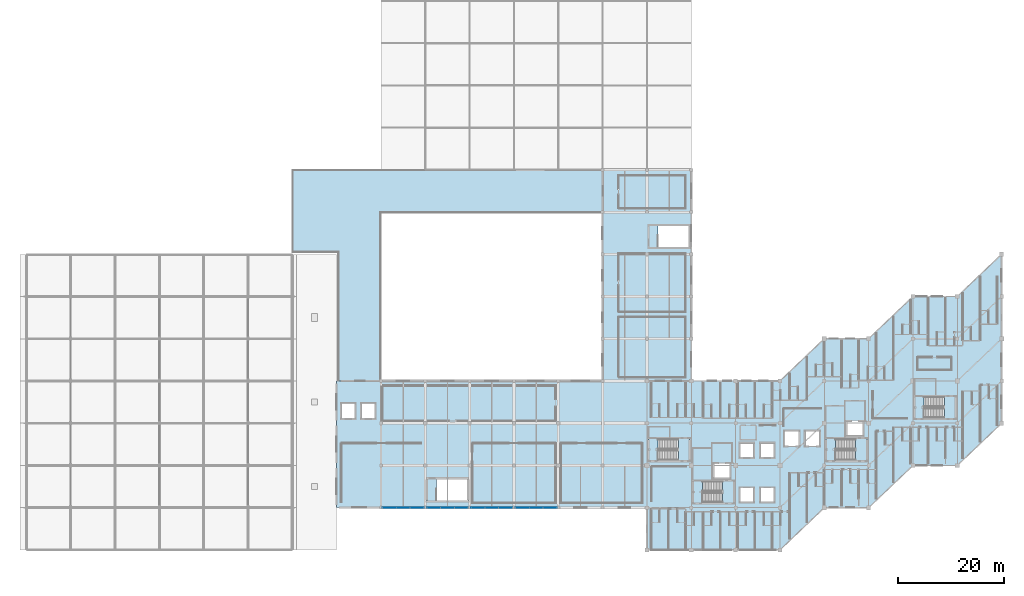
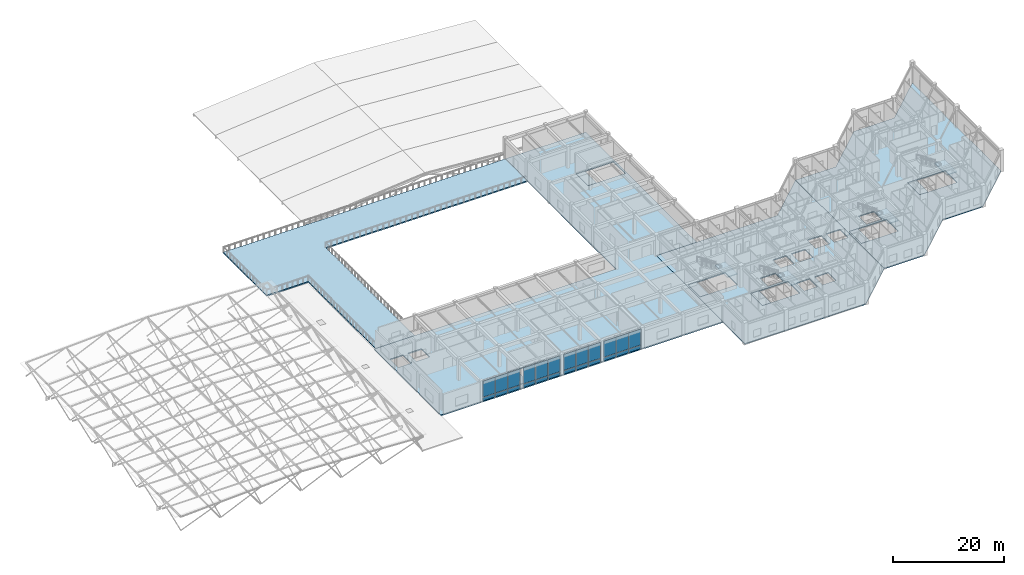
# One storey, part 18 of 37: 24 plates, 14 slabs, 8 elements without a shape of their own.
"""IFC4 building model written with IfcOpenShell, lengths in metres."""

from ifc_helpers import new_model, si_unit, direction, frame, origin, origin_2d, place, context, subcontext, project, spatial, polyline, rectangle, outline, extrude, material, layer, layer_set, type_object, element, aggregate, save


model = new_model("IFC4")

# Units and contexts
model_context = context("Model", 3, precision=1e-05, world=origin(), true_north=direction((0.0, 1.0)))
body_context = subcontext(model_context, "Body", "Model", "MODEL_VIEW")
ifc_project = project(units=[si_unit("LENGTHUNIT", "METRE"), si_unit("AREAUNIT", "SQUARE_METRE"), si_unit("VOLUMEUNIT", "CUBIC_METRE"), si_unit("PLANEANGLEUNIT", "RADIAN"), si_unit("MASSUNIT", "GRAM", prefix="KILO")], contexts=[model_context])

# Site, building, storey
site_placement = place(None, origin())
site = spatial("IfcSite", under=ifc_project, at=site_placement, CompositionType="ELEMENT")
building_placement = place(site_placement, origin())
building = spatial("IfcBuilding", under=site, at=building_placement, Name="Naruveol Harbour Congress Hotel", CompositionType="ELEMENT")
storey_placement = place(building_placement, frame((0.0, 0.0, 16.199951171875)))
storey = spatial("IfcBuildingStorey", under=building, at=storey_placement, Name="L03", CompositionType="ELEMENT", Elevation=16.199951171875)

# Curtain wall, plates
ifc_material_1 = material(Name="Low-E Curtain Wall System", Category="glass")
ifc_layer_1 = layer(ifc_material_1, 0.179931640625)
ifc_layer_set_1 = layer_set([ifc_layer_1], Name="Low-E Curtain Wall System")
curtain_wall_type = type_object("IfcCurtainWallType", Name="UNITISED CURTAIN WALL CW-V4S-45 7800X4500", PredefinedType="USERDEFINED", material=ifc_layer_set_1)
curtain_wall_1_placement = place(storey_placement, origin())
curtain_wall_1 = element("IfcCurtainWall", 1, at=curtain_wall_1_placement, inside=storey, type_object=curtain_wall_type, Name="Unitised curtain wall CW-V4S-45 L03", ObjectType="UNITISED GLAZING", PredefinedType="USERDEFINED")
ifc_material_2 = material(Name="Anodised Aluminium Spandrel", Category="aluminium")
ifc_layer_2 = layer(ifc_material_2, 0.054931640625)
ifc_layer_set_2 = layer_set([ifc_layer_2], Name="Anodised Aluminium Spandrel")
plate_type_1 = type_object("IfcPlateType", Name="INSULATED CERAMIC SPANDREL PANEL 55", PredefinedType="CURTAIN_PANEL", material=ifc_layer_set_2)
plate_1_placement = place(storey_placement, frame((99.199951171875, 7.989990234375, 0.0400390625), z_axis=(0.0, 0.0, 1.0), x_axis=(-1.0, 0.0, 0.0)))
plate_1 = element("IfcPlate", 2, at=plate_1_placement, type_object=plate_type_1, Name="Curtain wall spandrel panel CW-L03-0122-PS0", PredefinedType="CURTAIN_PANEL", context=body_context, shape_type="SweptSolid", body=[
    extrude(rectangle(XDim=2.52001953125, YDim=0.054931640625, at=origin_2d()), origin(), (0.0, 0.0, 1.0), 0.77001953125),
])
plate_2_placement = place(storey_placement, frame((96.60009765625, 7.989990234375, 0.0400390625), z_axis=(0.0, 0.0, 1.0), x_axis=(-1.0, 0.0, 0.0)))
plate_2 = element("IfcPlate", 3, at=plate_2_placement, type_object=plate_type_1, Name="Curtain wall spandrel panel CW-L03-0122-PS1", PredefinedType="CURTAIN_PANEL", context=body_context, shape_type="SweptSolid", body=[
    extrude(rectangle(XDim=2.52001953125, YDim=0.054931640625, at=origin_2d()), origin(), (0.0, 0.0, 1.0), 0.77001953125),
])
plate_3_placement = place(storey_placement, frame((94.0, 7.989990234375, 0.0400390625), z_axis=(0.0, 0.0, 1.0), x_axis=(-1.0, 0.0, 0.0)))
plate_3 = element("IfcPlate", 4, at=plate_3_placement, type_object=plate_type_1, Name="Curtain wall spandrel panel CW-L03-0122-PS2", PredefinedType="CURTAIN_PANEL", context=body_context, shape_type="SweptSolid", body=[
    extrude(rectangle(XDim=2.52001953125, YDim=0.054931640625, at=origin_2d()), origin(), (0.0, 0.0, 1.0), 0.77001953125),
])

curtain_wall_2_placement = place(storey_placement, origin())
curtain_wall_2 = element("IfcCurtainWall", 5, at=curtain_wall_2_placement, inside=storey, type_object=curtain_wall_type, Name="Unitised curtain wall CW-V4S-45 L03", ObjectType="UNITISED GLAZING", PredefinedType="USERDEFINED")
plate_4_placement = place(storey_placement, frame((90.800048828125, 7.989990234375, 0.0400390625), z_axis=(0.0, 0.0, 1.0), x_axis=(-1.0, 0.0, 0.0)))
plate_4 = element("IfcPlate", 6, at=plate_4_placement, type_object=plate_type_1, Name="Curtain wall spandrel panel CW-L03-0123-PS0", PredefinedType="CURTAIN_PANEL", context=body_context, shape_type="SweptSolid", body=[
    extrude(rectangle(XDim=2.52001953125, YDim=0.054931640625, at=origin_2d()), origin(), (0.0, 0.0, 1.0), 0.77001953125),
])
plate_5_placement = place(storey_placement, frame((88.199951171875, 7.989990234375, 0.0400390625), z_axis=(0.0, 0.0, 1.0), x_axis=(-1.0, 0.0, 0.0)))
plate_5 = element("IfcPlate", 7, at=plate_5_placement, type_object=plate_type_1, Name="Curtain wall spandrel panel CW-L03-0123-PS1", PredefinedType="CURTAIN_PANEL", context=body_context, shape_type="SweptSolid", body=[
    extrude(rectangle(XDim=2.52001953125, YDim=0.054931640625, at=origin_2d()), origin(), (0.0, 0.0, 1.0), 0.77001953125),
])
plate_6_placement = place(storey_placement, frame((85.60009765625, 7.989990234375, 0.0400390625), z_axis=(0.0, 0.0, 1.0), x_axis=(-1.0, 0.0, 0.0)))
plate_6 = element("IfcPlate", 8, at=plate_6_placement, type_object=plate_type_1, Name="Curtain wall spandrel panel CW-L03-0123-PS2", PredefinedType="CURTAIN_PANEL", context=body_context, shape_type="SweptSolid", body=[
    extrude(rectangle(XDim=2.52001953125, YDim=0.054931640625, at=origin_2d()), origin(), (0.0, 0.0, 1.0), 0.77001953125),
])

curtain_wall_3_placement = place(storey_placement, origin())
curtain_wall_3 = element("IfcCurtainWall", 9, at=curtain_wall_3_placement, inside=storey, type_object=curtain_wall_type, Name="Unitised curtain wall CW-V4S-45 L03", ObjectType="UNITISED GLAZING", PredefinedType="USERDEFINED")
plate_7_placement = place(storey_placement, frame((82.39990234375, 7.989990234375, 0.0400390625), z_axis=(0.0, 0.0, 1.0), x_axis=(-1.0, 0.0, 0.0)))
plate_7 = element("IfcPlate", 10, at=plate_7_placement, type_object=plate_type_1, Name="Curtain wall spandrel panel CW-L03-0124-PS0", PredefinedType="CURTAIN_PANEL", context=body_context, shape_type="SweptSolid", body=[
    extrude(rectangle(XDim=2.52001953125, YDim=0.054931640625, at=origin_2d()), origin(), (0.0, 0.0, 1.0), 0.77001953125),
])
plate_8_placement = place(storey_placement, frame((79.800048828125, 7.989990234375, 0.0400390625), z_axis=(0.0, 0.0, 1.0), x_axis=(-1.0, 0.0, 0.0)))
plate_8 = element("IfcPlate", 11, at=plate_8_placement, type_object=plate_type_1, Name="Curtain wall spandrel panel CW-L03-0124-PS1", PredefinedType="CURTAIN_PANEL", context=body_context, shape_type="SweptSolid", body=[
    extrude(rectangle(XDim=2.52001953125, YDim=0.054931640625, at=origin_2d()), origin(), (0.0, 0.0, 1.0), 0.77001953125),
])
plate_9_placement = place(storey_placement, frame((77.199951171875, 7.989990234375, 0.0400390625), z_axis=(0.0, 0.0, 1.0), x_axis=(-1.0, 0.0, 0.0)))
plate_9 = element("IfcPlate", 12, at=plate_9_placement, type_object=plate_type_1, Name="Curtain wall spandrel panel CW-L03-0124-PS2", PredefinedType="CURTAIN_PANEL", context=body_context, shape_type="SweptSolid", body=[
    extrude(rectangle(XDim=2.52001953125, YDim=0.054931640625, at=origin_2d()), origin(), (0.0, 0.0, 1.0), 0.77001953125),
])

curtain_wall_4_placement = place(storey_placement, origin())
curtain_wall_4 = element("IfcCurtainWall", 13, at=curtain_wall_4_placement, inside=storey, type_object=curtain_wall_type, Name="Unitised curtain wall CW-V4S-45 L03", ObjectType="UNITISED GLAZING", PredefinedType="USERDEFINED")
plate_10_placement = place(storey_placement, frame((74.0, 7.989990234375, 0.0400390625), z_axis=(0.0, 0.0, 1.0), x_axis=(-1.0, 0.0, 0.0)))
plate_10 = element("IfcPlate", 14, at=plate_10_placement, type_object=plate_type_1, Name="Curtain wall spandrel panel CW-L03-0125-PS0", PredefinedType="CURTAIN_PANEL", context=body_context, shape_type="SweptSolid", body=[
    extrude(rectangle(XDim=2.52001953125, YDim=0.054931640625, at=origin_2d()), origin(), (0.0, 0.0, 1.0), 0.77001953125),
])
plate_11_placement = place(storey_placement, frame((71.39990234375, 7.989990234375, 0.0400390625), z_axis=(0.0, 0.0, 1.0), x_axis=(-1.0, 0.0, 0.0)))
plate_11 = element("IfcPlate", 15, at=plate_11_placement, type_object=plate_type_1, Name="Curtain wall spandrel panel CW-L03-0125-PS1", PredefinedType="CURTAIN_PANEL", context=body_context, shape_type="SweptSolid", body=[
    extrude(rectangle(XDim=2.52001953125, YDim=0.054931640625, at=origin_2d()), origin(), (0.0, 0.0, 1.0), 0.77001953125),
])
plate_12_placement = place(storey_placement, frame((68.800048828125, 7.989990234375, 0.0400390625), z_axis=(0.0, 0.0, 1.0), x_axis=(-1.0, 0.0, 0.0)))
plate_12 = element("IfcPlate", 16, at=plate_12_placement, type_object=plate_type_1, Name="Curtain wall spandrel panel CW-L03-0125-PS2", PredefinedType="CURTAIN_PANEL", context=body_context, shape_type="SweptSolid", body=[
    extrude(rectangle(XDim=2.52001953125, YDim=0.054931640625, at=origin_2d()), origin(), (0.0, 0.0, 1.0), 0.77001953125),
])

# Plate
ifc_material_3 = material(Name="Low-E Insulated Glass", Category="glass")
ifc_layer_3 = layer(ifc_material_3, 0.0419921875)
ifc_layer_set_3 = layer_set([ifc_layer_3], Name="Low-E Insulated Glass")
plate_type_2 = type_object("IfcPlateType", Name="LOW-E TRIPLE GLAZED CURTAIN PANEL 42", PredefinedType="CURTAIN_PANEL", material=ifc_layer_set_3)
plate_13_placement = place(storey_placement, frame((99.199951171875, 7.989990234375, 0.89013671875), z_axis=(0.0, 0.0, 1.0), x_axis=(-1.0, 0.0, 0.0)))
plate_13 = element("IfcPlate", 17, at=plate_13_placement, type_object=plate_type_2, Name="Curtain wall vision panel CW-L03-0122-PG0", PredefinedType="CURTAIN_PANEL", context=body_context, shape_type="SweptSolid", body=[
    extrude(rectangle(XDim=2.52001953125, YDim=0.0419921875, at=origin_2d()), origin(), (0.0, 0.0, 1.0), 3.489990234375),
])

plate_14_placement = place(storey_placement, frame((96.60009765625, 7.989990234375, 0.89013671875), z_axis=(0.0, 0.0, 1.0), x_axis=(-1.0, 0.0, 0.0)))
plate_14 = element("IfcPlate", 18, at=plate_14_placement, type_object=plate_type_2, Name="Curtain wall vision panel CW-L03-0122-PG1", PredefinedType="CURTAIN_PANEL", context=body_context, shape_type="SweptSolid", body=[
    extrude(rectangle(XDim=2.52001953125, YDim=0.0419921875, at=origin_2d()), origin(), (0.0, 0.0, 1.0), 3.489990234375),
])

plate_15_placement = place(storey_placement, frame((94.0, 7.989990234375, 0.89013671875), z_axis=(0.0, 0.0, 1.0), x_axis=(-1.0, 0.0, 0.0)))
plate_15 = element("IfcPlate", 19, at=plate_15_placement, type_object=plate_type_2, Name="Curtain wall vision panel CW-L03-0122-PG2", PredefinedType="CURTAIN_PANEL", context=body_context, shape_type="SweptSolid", body=[
    extrude(rectangle(XDim=2.52001953125, YDim=0.0419921875, at=origin_2d()), origin(), (0.0, 0.0, 1.0), 3.489990234375),
])

aggregate(curtain_wall_1, [plate_1, plate_13, plate_2, plate_14, plate_3, plate_15])

plate_16_placement = place(storey_placement, frame((90.800048828125, 7.989990234375, 0.89013671875), z_axis=(0.0, 0.0, 1.0), x_axis=(-1.0, 0.0, 0.0)))
plate_16 = element("IfcPlate", 20, at=plate_16_placement, type_object=plate_type_2, Name="Curtain wall vision panel CW-L03-0123-PG0", PredefinedType="CURTAIN_PANEL", context=body_context, shape_type="SweptSolid", body=[
    extrude(rectangle(XDim=2.52001953125, YDim=0.0419921875, at=origin_2d()), origin(), (0.0, 0.0, 1.0), 3.489990234375),
])

plate_17_placement = place(storey_placement, frame((88.199951171875, 7.989990234375, 0.89013671875), z_axis=(0.0, 0.0, 1.0), x_axis=(-1.0, 0.0, 0.0)))
plate_17 = element("IfcPlate", 21, at=plate_17_placement, type_object=plate_type_2, Name="Curtain wall vision panel CW-L03-0123-PG1", PredefinedType="CURTAIN_PANEL", context=body_context, shape_type="SweptSolid", body=[
    extrude(rectangle(XDim=2.52001953125, YDim=0.0419921875, at=origin_2d()), origin(), (0.0, 0.0, 1.0), 3.489990234375),
])

plate_18_placement = place(storey_placement, frame((85.60009765625, 7.989990234375, 0.89013671875), z_axis=(0.0, 0.0, 1.0), x_axis=(-1.0, 0.0, 0.0)))
plate_18 = element("IfcPlate", 22, at=plate_18_placement, type_object=plate_type_2, Name="Curtain wall vision panel CW-L03-0123-PG2", PredefinedType="CURTAIN_PANEL", context=body_context, shape_type="SweptSolid", body=[
    extrude(rectangle(XDim=2.52001953125, YDim=0.0419921875, at=origin_2d()), origin(), (0.0, 0.0, 1.0), 3.489990234375),
])

aggregate(curtain_wall_2, [plate_4, plate_16, plate_5, plate_17, plate_6, plate_18])

plate_19_placement = place(storey_placement, frame((82.39990234375, 7.989990234375, 0.89013671875), z_axis=(0.0, 0.0, 1.0), x_axis=(-1.0, 0.0, 0.0)))
plate_19 = element("IfcPlate", 23, at=plate_19_placement, type_object=plate_type_2, Name="Curtain wall vision panel CW-L03-0124-PG0", PredefinedType="CURTAIN_PANEL", context=body_context, shape_type="SweptSolid", body=[
    extrude(rectangle(XDim=2.52001953125, YDim=0.0419921875, at=origin_2d()), origin(), (0.0, 0.0, 1.0), 3.489990234375),
])

plate_20_placement = place(storey_placement, frame((79.800048828125, 7.989990234375, 0.89013671875), z_axis=(0.0, 0.0, 1.0), x_axis=(-1.0, 0.0, 0.0)))
plate_20 = element("IfcPlate", 24, at=plate_20_placement, type_object=plate_type_2, Name="Curtain wall vision panel CW-L03-0124-PG1", PredefinedType="CURTAIN_PANEL", context=body_context, shape_type="SweptSolid", body=[
    extrude(rectangle(XDim=2.52001953125, YDim=0.0419921875, at=origin_2d()), origin(), (0.0, 0.0, 1.0), 3.489990234375),
])

plate_21_placement = place(storey_placement, frame((77.199951171875, 7.989990234375, 0.89013671875), z_axis=(0.0, 0.0, 1.0), x_axis=(-1.0, 0.0, 0.0)))
plate_21 = element("IfcPlate", 25, at=plate_21_placement, type_object=plate_type_2, Name="Curtain wall vision panel CW-L03-0124-PG2", PredefinedType="CURTAIN_PANEL", context=body_context, shape_type="SweptSolid", body=[
    extrude(rectangle(XDim=2.52001953125, YDim=0.0419921875, at=origin_2d()), origin(), (0.0, 0.0, 1.0), 3.489990234375),
])

aggregate(curtain_wall_3, [plate_7, plate_19, plate_8, plate_20, plate_9, plate_21])

plate_22_placement = place(storey_placement, frame((74.0, 7.989990234375, 0.89013671875), z_axis=(0.0, 0.0, 1.0), x_axis=(-1.0, 0.0, 0.0)))
plate_22 = element("IfcPlate", 26, at=plate_22_placement, type_object=plate_type_2, Name="Curtain wall vision panel CW-L03-0125-PG0", PredefinedType="CURTAIN_PANEL", context=body_context, shape_type="SweptSolid", body=[
    extrude(rectangle(XDim=2.52001953125, YDim=0.0419921875, at=origin_2d()), origin(), (0.0, 0.0, 1.0), 3.489990234375),
])

plate_23_placement = place(storey_placement, frame((71.39990234375, 7.989990234375, 0.89013671875), z_axis=(0.0, 0.0, 1.0), x_axis=(-1.0, 0.0, 0.0)))
plate_23 = element("IfcPlate", 27, at=plate_23_placement, type_object=plate_type_2, Name="Curtain wall vision panel CW-L03-0125-PG1", PredefinedType="CURTAIN_PANEL", context=body_context, shape_type="SweptSolid", body=[
    extrude(rectangle(XDim=2.52001953125, YDim=0.0419921875, at=origin_2d()), origin(), (0.0, 0.0, 1.0), 3.489990234375),
])

plate_24_placement = place(storey_placement, frame((68.800048828125, 7.989990234375, 0.89013671875), z_axis=(0.0, 0.0, 1.0), x_axis=(-1.0, 0.0, 0.0)))
plate_24 = element("IfcPlate", 28, at=plate_24_placement, type_object=plate_type_2, Name="Curtain wall vision panel CW-L03-0125-PG2", PredefinedType="CURTAIN_PANEL", context=body_context, shape_type="SweptSolid", body=[
    extrude(rectangle(XDim=2.52001953125, YDim=0.0419921875, at=origin_2d()), origin(), (0.0, 0.0, 1.0), 3.489990234375),
])

aggregate(curtain_wall_4, [plate_10, plate_22, plate_11, plate_23, plate_12, plate_24])

# Slabs
ifc_material_4 = material(Name="Concrete C40/50", Category="concrete")
ifc_layer_4 = layer(ifc_material_4, 0.219970703125)
ifc_layer_set_4 = layer_set([ifc_layer_4], Name="Concrete C40/50")
slab_type_1 = type_object("IfcSlabType", Name="RC HOTEL LOWER FLOOR SLAB 220", PredefinedType="FLOOR", material=ifc_layer_set_4)
slab_1_placement = place(storey_placement, frame((0.0, 0.0, -0.219970703125)))
element("IfcSlab", 29, at=slab_1_placement, inside=storey, type_object=slab_type_1, Name="Level L03 Waterfront hotel west guest slab", PredefinedType="FLOOR", context=body_context, shape_type="SweptSolid", body=[
    extrude(outline(polyline([(117.60009765625, 0.0), (126.0, 0.0), (134.39990234375, 0.0), (142.800048828125, 0.0), (151.199951171875, 8.0), (151.199951171875, 40.0), (142.800048828125, 32.0), (134.39990234375, 32.0), (126.0, 32.0), (117.60009765625, 32.0), (117.60009765625, 0.0)]), holes=[polyline([(126.300048828125, 8.800048828125), (134.10009765625, 8.800048828125), (134.10009765625, 13.159912109375), (126.300048828125, 13.159912109375), (126.300048828125, 8.800048828125)]), polyline([(117.89990234375, 16.800048828125), (125.699951171875, 16.800048828125), (125.699951171875, 21.159912109375), (117.89990234375, 21.159912109375), (117.89990234375, 16.800048828125)]), polyline([(135.10009765625, 17.39990234375), (137.89990234375, 17.39990234375), (137.89990234375, 20.300048828125), (135.10009765625, 20.300048828125), (135.10009765625, 17.39990234375)]), polyline([(139.0, 17.39990234375), (141.800048828125, 17.39990234375), (141.800048828125, 20.300048828125), (139.0, 20.300048828125), (139.0, 17.39990234375)]), polyline([(135.10009765625, 9.0), (137.89990234375, 9.0), (137.89990234375, 11.89990234375), (135.10009765625, 11.89990234375), (135.10009765625, 9.0)]), polyline([(139.0, 9.0), (141.800048828125, 9.0), (141.800048828125, 11.89990234375), (139.0, 11.89990234375), (139.0, 9.0)]), polyline([(130.199951171875, 13.550048828125), (133.39990234375, 13.550048828125), (133.39990234375, 16.449951171875), (130.199951171875, 16.449951171875), (130.199951171875, 13.550048828125)]), polyline([(143.60009765625, 19.60009765625), (146.5, 19.60009765625), (146.5, 22.60009765625), (143.60009765625, 22.60009765625), (143.60009765625, 19.60009765625)]), polyline([(147.5, 19.60009765625), (150.39990234375, 19.60009765625), (150.39990234375, 22.60009765625), (147.5, 22.60009765625), (147.5, 19.60009765625)])]), origin(), (0.0, 0.0, 1.0), 0.219970703125),
])
slab_2_placement = place(storey_placement, frame((0.0, 0.0, -0.219970703125)))
element("IfcSlab", 30, at=slab_2_placement, inside=storey, type_object=slab_type_1, Name="Level L03 Waterfront hotel east guest slab", PredefinedType="FLOOR", context=body_context, shape_type="SweptSolid", body=[
    extrude(outline(polyline([(151.199951171875, 8.0), (159.60009765625, 8.0), (168.0, 16.0), (176.39990234375, 16.0), (184.800048828125, 24.0), (184.800048828125, 56.0), (176.39990234375, 48.0), (168.0, 48.0), (159.60009765625, 40.0), (151.199951171875, 40.0), (151.199951171875, 8.0)]), holes=[polyline([(151.5, 16.800048828125), (159.300048828125, 16.800048828125), (159.300048828125, 21.159912109375), (151.5, 21.159912109375), (151.5, 16.800048828125)]), polyline([(168.300048828125, 24.800048828125), (176.10009765625, 24.800048828125), (176.10009765625, 29.159912109375), (168.300048828125, 29.159912109375), (168.300048828125, 24.800048828125)]), polyline([(155.39990234375, 21.550048828125), (158.60009765625, 21.550048828125), (158.60009765625, 24.449951171875), (155.39990234375, 24.449951171875), (155.39990234375, 21.550048828125)])]), origin(), (0.0, 0.0, 1.0), 0.219970703125),
])
ifc_material_5 = material(Name="Concrete C40/50", Category="concrete")
ifc_layer_5 = layer(ifc_material_5, 0.25)
ifc_layer_set_5 = layer_set([ifc_layer_5], Name="Concrete C40/50")
slab_type_2 = type_object("IfcSlabType", Name="RC MEETING WING FLOOR SLAB 250", PredefinedType="FLOOR", material=ifc_layer_set_5)
slab_3_placement = place(storey_placement, frame((0.0, 0.0, -0.25)))
element("IfcSlab", 31, at=slab_3_placement, inside=storey, type_object=slab_type_2, Name="Level L03 Breakout salons & harbour lounge slab", PredefinedType="FLOOR", context=body_context, shape_type="SweptSolid", body=[
    extrude(outline(polyline([(58.800048828125, 8.0), (117.60009765625, 8.0), (117.60009765625, 32.0), (126.0, 32.0), (126.0, 72.0), (109.199951171875, 72.0), (109.199951171875, 32.0), (58.800048828125, 32.0), (58.800048828125, 8.0)]), holes=[polyline([(117.89990234375, 57.199951171875), (125.699951171875, 57.199951171875), (125.699951171875, 61.56005859375), (117.89990234375, 61.56005859375), (117.89990234375, 57.199951171875)]), polyline([(75.89990234375, 9.199951171875), (83.699951171875, 9.199951171875), (83.699951171875, 13.56005859375), (75.89990234375, 13.56005859375), (75.89990234375, 9.199951171875)]), polyline([(59.60009765625, 24.800048828125), (62.39990234375, 24.800048828125), (62.39990234375, 27.800048828125), (59.60009765625, 27.800048828125), (59.60009765625, 24.800048828125)]), polyline([(63.39990234375, 24.800048828125), (66.199951171875, 24.800048828125), (66.199951171875, 27.800048828125), (63.39990234375, 27.800048828125), (63.39990234375, 24.800048828125)])]), origin(), (0.0, 0.0, 1.0), 0.25),
])
ifc_material_6 = material(Name="Concrete C40/50", Category="concrete")
ifc_layer_6 = layer(ifc_material_6, 0.260009765625)
ifc_layer_set_6 = layer_set([ifc_layer_6], Name="Concrete C40/50")
slab_type_3 = type_object("IfcSlabType", Name="RC PLANTED ROOF GARDEN SLAB 260", PredefinedType="ROOF", material=ifc_layer_set_6)
slab_4_placement = place(storey_placement, frame((0.0, 0.0, -0.260009765625)))
element("IfcSlab", 32, at=slab_4_placement, inside=storey, type_object=slab_type_3, Name="Level L03 Public Harbour Roof Terrace & Planted Garden", PredefinedType="ROOF", context=body_context, shape_type="SweptSolid", body=[
    extrude(outline(polyline([(59.10009765625, 32.0), (67.199951171875, 32.0), (67.199951171875, 64.0), (109.199951171875, 64.0), (109.199951171875, 72.0), (50.39990234375, 72.0), (50.39990234375, 56.35009765625), (59.10009765625, 56.35009765625), (59.10009765625, 32.0)])), origin(), (0.0, 0.0, 1.0), 0.260009765625),
])
ifc_material_7 = material(Name="Concrete C40/50", Category="concrete")
ifc_layer_7 = layer(ifc_material_7, 0.179931640625)
ifc_layer_set_7 = layer_set([ifc_layer_7], Name="Concrete C40/50")
slab_type_4 = type_object("IfcSlabType", Name="RC STAIR HALF LANDING SLAB 180", PredefinedType="LANDING", material=ifc_layer_set_7)
slab_5_placement = place(storey_placement, frame((0.0, 0.0, -0.179931640625)))
element("IfcSlab", 33, at=slab_5_placement, inside=storey, type_object=slab_type_4, Name="Stair ST1 L03 floor landing", PredefinedType="LANDING", context=body_context, shape_type="SweptSolid", body=[
    extrude(outline(polyline([(126.300048828125, 8.800048828125), (128.10009765625, 8.800048828125), (128.10009765625, 13.159912109375), (126.300048828125, 13.159912109375), (126.300048828125, 8.800048828125)])), origin(), (0.0, 0.0, 1.0), 0.179931640625),
])

# Stair, slab
ifc_material_8 = material(Name="Concrete C40/50", Category="concrete")
stair_type = type_object("IfcStairType", Name="RC DOG LEG ESCAPE STAIR 1800W H4800", PredefinedType="HALF_TURN_STAIR", material=ifc_material_8)
stair_1_placement = place(storey_placement, origin())
stair_1 = element("IfcStair", 34, at=stair_1_placement, inside=storey, type_object=stair_type, Name="Special Escape Stair ST1 L03 to L04", PredefinedType="HALF_TURN_STAIR")
slab_6_placement = place(storey_placement, frame((0.0, 0.0, 2.219970703125)))
slab_6 = element("IfcSlab", 35, at=slab_6_placement, type_object=slab_type_4, Name="ST1 L03 half landing", PredefinedType="LANDING", context=body_context, shape_type="SweptSolid", body=[
    extrude(outline(polyline([(131.93505859375, 8.800048828125), (134.10009765625, 8.800048828125), (134.10009765625, 13.159912109375), (131.93505859375, 13.159912109375), (131.93505859375, 8.800048828125)])), origin(), (0.0, 0.0, 1.0), 0.18017578125),
])
aggregate(stair_1, [slab_6])

# Slab
slab_7_placement = place(storey_placement, frame((0.0, 0.0, -0.179931640625)))
element("IfcSlab", 36, at=slab_7_placement, inside=storey, type_object=slab_type_4, Name="Stair ST2 L03 floor landing", PredefinedType="LANDING", context=body_context, shape_type="SweptSolid", body=[
    extrude(outline(polyline([(151.5, 16.800048828125), (153.300048828125, 16.800048828125), (153.300048828125, 21.159912109375), (151.5, 21.159912109375), (151.5, 16.800048828125)])), origin(), (0.0, 0.0, 1.0), 0.179931640625),
])

# Stair, slab
stair_2_placement = place(storey_placement, origin())
stair_2 = element("IfcStair", 37, at=stair_2_placement, inside=storey, type_object=stair_type, Name="Special Escape Stair ST2 L03 to L04", PredefinedType="HALF_TURN_STAIR")
slab_8_placement = place(storey_placement, frame((0.0, 0.0, 2.219970703125)))
slab_8 = element("IfcSlab", 38, at=slab_8_placement, type_object=slab_type_4, Name="ST2 L03 half landing", PredefinedType="LANDING", context=body_context, shape_type="SweptSolid", body=[
    extrude(outline(polyline([(157.135009765625, 16.800048828125), (159.300048828125, 16.800048828125), (159.300048828125, 21.159912109375), (157.135009765625, 21.159912109375), (157.135009765625, 16.800048828125)])), origin(), (0.0, 0.0, 1.0), 0.18017578125),
])
aggregate(stair_2, [slab_8])

# Slab
slab_9_placement = place(storey_placement, frame((0.0, 0.0, -0.179931640625)))
element("IfcSlab", 39, at=slab_9_placement, inside=storey, type_object=slab_type_4, Name="Stair ST3 L03 floor landing", PredefinedType="LANDING", context=body_context, shape_type="SweptSolid", body=[
    extrude(outline(polyline([(117.89990234375, 16.800048828125), (119.699951171875, 16.800048828125), (119.699951171875, 21.159912109375), (117.89990234375, 21.159912109375), (117.89990234375, 16.800048828125)])), origin(), (0.0, 0.0, 1.0), 0.179931640625),
])

# Stair, slab
stair_3_placement = place(storey_placement, origin())
stair_3 = element("IfcStair", 40, at=stair_3_placement, inside=storey, type_object=stair_type, Name="Special Escape Stair ST3 L03 to L04", PredefinedType="HALF_TURN_STAIR")
slab_10_placement = place(storey_placement, frame((0.0, 0.0, 2.219970703125)))
slab_10 = element("IfcSlab", 41, at=slab_10_placement, type_object=slab_type_4, Name="ST3 L03 half landing", PredefinedType="LANDING", context=body_context, shape_type="SweptSolid", body=[
    extrude(outline(polyline([(123.534912109375, 16.800048828125), (125.699951171875, 16.800048828125), (125.699951171875, 21.159912109375), (123.534912109375, 21.159912109375), (123.534912109375, 16.800048828125)])), origin(), (0.0, 0.0, 1.0), 0.18017578125),
])
aggregate(stair_3, [slab_10])

# Slab
slab_11_placement = place(storey_placement, frame((0.0, 0.0, -0.179931640625)))
element("IfcSlab", 42, at=slab_11_placement, inside=storey, type_object=slab_type_4, Name="Stair ST4 L03 floor landing", PredefinedType="LANDING", context=body_context, shape_type="SweptSolid", body=[
    extrude(outline(polyline([(168.300048828125, 24.800048828125), (170.10009765625, 24.800048828125), (170.10009765625, 29.159912109375), (168.300048828125, 29.159912109375), (168.300048828125, 24.800048828125)])), origin(), (0.0, 0.0, 1.0), 0.179931640625),
])

# Stair, slab
stair_4_placement = place(storey_placement, origin())
stair_4 = element("IfcStair", 43, at=stair_4_placement, inside=storey, type_object=stair_type, Name="Special Escape Stair ST4 L03 to L04", PredefinedType="HALF_TURN_STAIR")
slab_12_placement = place(storey_placement, frame((0.0, 0.0, 2.219970703125)))
slab_12 = element("IfcSlab", 44, at=slab_12_placement, type_object=slab_type_4, Name="ST4 L03 half landing", PredefinedType="LANDING", context=body_context, shape_type="SweptSolid", body=[
    extrude(outline(polyline([(173.93505859375, 24.800048828125), (176.10009765625, 24.800048828125), (176.10009765625, 29.159912109375), (173.93505859375, 29.159912109375), (173.93505859375, 24.800048828125)])), origin(), (0.0, 0.0, 1.0), 0.18017578125),
])
aggregate(stair_4, [slab_12])

# Slabs
slab_13_placement = place(storey_placement, frame((0.0, 0.0, -0.179931640625)))
element("IfcSlab", 45, at=slab_13_placement, inside=storey, type_object=slab_type_4, Name="Stair ST9 L03 floor landing", PredefinedType="LANDING", context=body_context, shape_type="SweptSolid", body=[
    extrude(outline(polyline([(117.89990234375, 57.199951171875), (119.699951171875, 57.199951171875), (119.699951171875, 61.56005859375), (117.89990234375, 61.56005859375), (117.89990234375, 57.199951171875)])), origin(), (0.0, 0.0, 1.0), 0.179931640625),
])
slab_14_placement = place(storey_placement, frame((0.0, 0.0, -0.179931640625)))
element("IfcSlab", 46, at=slab_14_placement, inside=storey, type_object=slab_type_4, Name="Stair ST10 L03 floor landing", PredefinedType="LANDING", context=body_context, shape_type="SweptSolid", body=[
    extrude(outline(polyline([(75.89990234375, 9.199951171875), (77.699951171875, 9.199951171875), (77.699951171875, 13.56005859375), (75.89990234375, 13.56005859375), (75.89990234375, 9.199951171875)])), origin(), (0.0, 0.0, 1.0), 0.179931640625),
])

save(model, "model.ifc")
